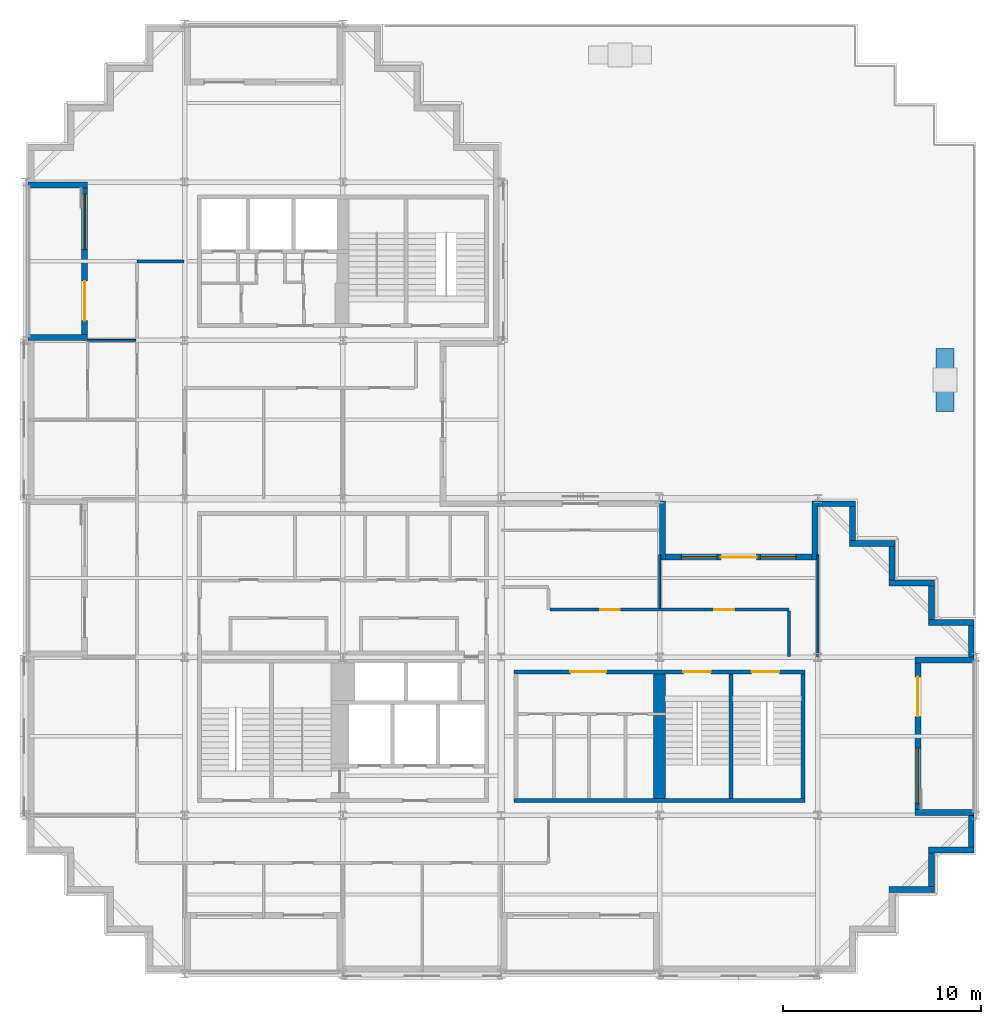
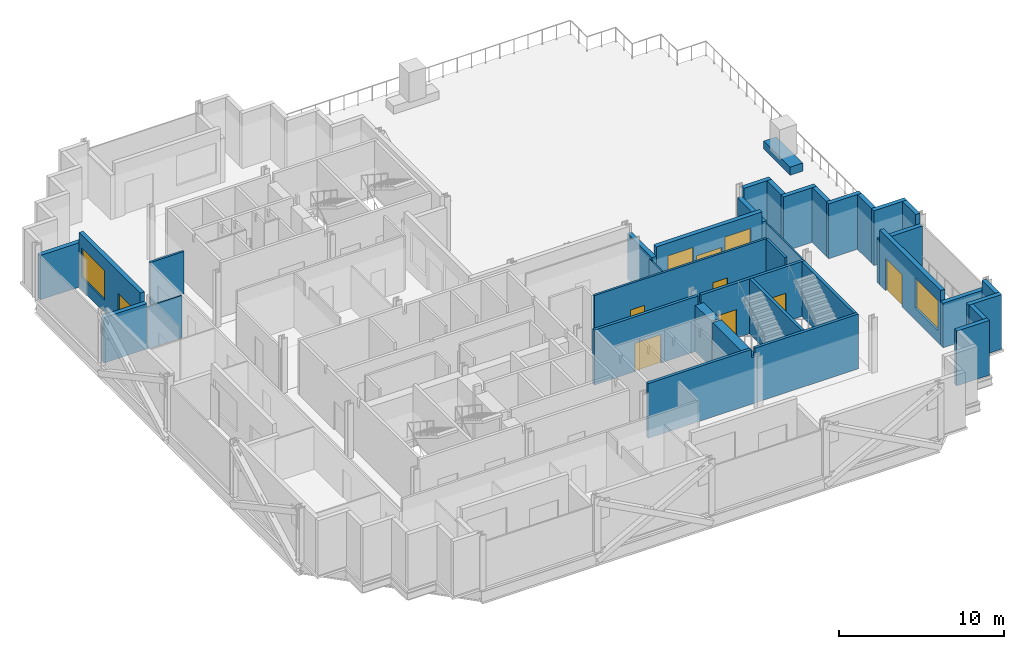
# One storey, part 7 of 12: 34 walls, 8 doors, 4 windows, 12 openings.
"""IFC4 building model written with IfcOpenShell, lengths in metres."""

import ifcopenshell
import ifcopenshell.guid

model = None  # the IFC model being written
_history = None  # IfcOwnerHistory: only IFC2X3 demands one
_inside = {}  # id of a spatial element -> (the spatial element, [elements in it])
_under = {}  # id of a project, library or spatial element -> (it, [spatial elements below it])
_declared = {}  # id of a project -> (the project, [libraries it declares])
_typed = {}  # id of a type object -> (the type object, [elements of that type])
_made_of = {}  # id of a material, layer set ... -> (it, [elements and type objects made of it])


def new_model(schema):
    """Start an empty IFC model of exactly this schema.

    Asked for "IFC4X3", IfcOpenShell would pick the latest addendum, in which some entities
    have other attributes; the version numbers below select the first issue.
    IFC2X3 requires an IfcOwnerHistory on every rooted entity: one is made here for all.
    """
    global model, _history
    if schema == "IFC4X3":
        model = ifcopenshell.file(schema_version=(4, 3, 0, 0))
    else:
        model = ifcopenshell.file(schema=schema)
    _inside.clear()
    _under.clear()
    _declared.clear()
    _typed.clear()
    _made_of.clear()
    _history = None
    if model.schema == "IFC2X3":
        org = make("IfcOrganization", Name="unknown")
        user = make(
            "IfcPersonAndOrganization",
            ThePerson=make("IfcPerson", FamilyName="unknown"),
            TheOrganization=org,
        )
        app = make(
            "IfcApplication",
            ApplicationDeveloper=org,
            Version="unknown",
            ApplicationFullName="unknown",
            ApplicationIdentifier="unknown",
        )
        _history = make(
            "IfcOwnerHistory",
            OwningUser=user,
            OwningApplication=app,
            ChangeAction="ADDED",
            CreationDate=0,
        )
    return model


def make(cls, **values):
    """One entity of the class cls with the attributes given. An attribute that is None is left unset."""
    return model.create_entity(
        cls, **{name: value for name, value in values.items() if value is not None}
    )


def rooted(cls, **values):
    """An entity with a GlobalId (a new one), such as an element, a storey or a relation."""
    return make(cls, GlobalId=ifcopenshell.guid.new(), OwnerHistory=_history, **values)


def si_unit(unit_type, name, prefix=None):
    """IfcSIUnit, for example si_unit("LENGTHUNIT", "METRE", prefix="MILLI")."""
    return make("IfcSIUnit", UnitType=unit_type, Prefix=prefix, Name=name)


def assignment(units):
    """IfcUnitAssignment: the units of a project."""
    return None if units is None else make("IfcUnitAssignment", Units=units)


def point(xyz):
    """IfcCartesianPoint."""
    return None if xyz is None else make("IfcCartesianPoint", Coordinates=xyz)


def direction(xyz):
    """IfcDirection."""
    return None if xyz is None else make("IfcDirection", DirectionRatios=xyz)


def frame(location, z_axis=None, x_axis=None):
    """IfcAxis2Placement3D, a coordinate frame: its origin and axes. An axis left out is left unset."""
    return make(
        "IfcAxis2Placement3D",
        Location=point(location),
        Axis=direction(z_axis),
        RefDirection=direction(x_axis),
    )


def frame_2d(location, x_axis=None):
    """IfcAxis2Placement2D, a coordinate frame in the plane: its origin and x axis."""
    return make(
        "IfcAxis2Placement2D", Location=point(location), RefDirection=direction(x_axis)
    )


def origin():
    """The frame at (0, 0, 0) with its axes left unset."""
    return frame((0.0, 0.0, 0.0))


def place(relative_to, where):
    """IfcLocalPlacement: puts the frame where relative to a parent placement (None: the world)."""
    return make(
        "IfcLocalPlacement", PlacementRelTo=relative_to, RelativePlacement=where
    )


def context(
    kind, dimensions, precision=None, world=None, true_north=None, identifier=None
):
    """IfcGeometricRepresentationContext, for example the 3D "Model" context."""
    return make(
        "IfcGeometricRepresentationContext",
        ContextIdentifier=identifier,
        ContextType=kind,
        CoordinateSpaceDimension=dimensions,
        Precision=precision,
        WorldCoordinateSystem=world,
        TrueNorth=true_north,
    )


def subcontext(parent, identifier, kind, view, scale=None):
    """IfcGeometricRepresentationSubContext, for example "Body" below "Model"."""
    return make(
        "IfcGeometricRepresentationSubContext",
        ContextIdentifier=identifier,
        ContextType=kind,
        ParentContext=parent,
        TargetScale=scale,
        TargetView=view,
    )


def project(units=None, contexts=None):
    """IfcProject with its units and contexts."""
    return rooted(
        "IfcProject",
        Name="project",
        RepresentationContexts=contexts,
        UnitsInContext=assignment(units),
    )


def spatial(cls, under=None, at=None, **own):
    """A site, building, storey or space (cls), placed at a placement, below another one or the project."""
    s = rooted(cls, ObjectPlacement=at, **own)
    if under is not None:
        _under.setdefault(under.id(), (under, []))[1].append(s)
    return s


def polyline(points):
    """IfcPolyline through the points."""
    return make("IfcPolyline", Points=[point(p) for p in points])


def profile(cls, at=None, kind="AREA", **sizes):
    """A parametric profile (cls). Its sizes go by their IFC names, for example OverallWidth=200.0."""
    return make(cls, ProfileType=kind, Position=at, **sizes)


def rectangle(**sizes):
    """IfcRectangleProfileDef."""
    return profile("IfcRectangleProfileDef", **sizes)


def outline(outer, holes=None, kind="AREA"):
    """IfcArbitraryClosedProfileDef: a profile drawn as a closed curve; with holes, ...WithVoids."""
    if holes is None:
        return make("IfcArbitraryClosedProfileDef", ProfileType=kind, OuterCurve=outer)
    return make(
        "IfcArbitraryProfileDefWithVoids",
        ProfileType=kind,
        OuterCurve=outer,
        InnerCurves=holes,
    )


def extrude(swept, where, along, depth):
    """IfcExtrudedAreaSolid: the profile swept, set in the frame where, extruded along a direction by depth."""
    return make(
        "IfcExtrudedAreaSolid",
        SweptArea=swept,
        Position=where,
        ExtrudedDirection=direction(along),
        Depth=depth,
    )


def shape(context_of_items, identifier, shape_type, items):
    """IfcShapeRepresentation: the items that make up one representation, for example the "Body"."""
    return make(
        "IfcShapeRepresentation",
        ContextOfItems=context_of_items,
        RepresentationIdentifier=identifier,
        RepresentationType=shape_type,
        Items=items,
    )


def material(Name=None, Category=None):
    """IfcMaterial."""
    return make("IfcMaterial", Name=Name, Category=Category)


def layer(
    of_material, thickness, ventilated=None, Name=None, Category=None, Priority=None
):
    """IfcMaterialLayer: one layer of a wall or slab, of a material (None: an air gap)."""
    return make(
        "IfcMaterialLayer",
        Material=of_material,
        LayerThickness=thickness,
        IsVentilated=ventilated,
        Name=Name,
        Category=Category,
        Priority=Priority,
    )


def layer_set(layers, Name=None):
    """IfcMaterialLayerSet."""
    return make("IfcMaterialLayerSet", MaterialLayers=layers, LayerSetName=Name)


def made_of(thing, what):
    """Note that an element or type object is made of a material, layer set ...; save() writes the relation."""
    if what is not None:
        _made_of.setdefault(what.id(), (what, []))[1].append(thing)
    return thing


def type_object(cls, material=None, **own):
    """A type object (cls), such as IfcWallType, which elements share."""
    return made_of(rooted(cls, **own), material)


def element(
    cls,
    number,
    at=None,
    inside=None,
    cuts=None,
    type_object=None,
    material=None,
    context=None,
    identifier="Body",
    shape_type=None,
    held_by="IfcProductDefinitionShape",
    body=None,
    shapes=None,
    **own,
):
    """One element of the class cls, such as IfcWall. Its Tag is "e" and its number.

    at: its placement. inside: the storey or other place that contains it. cuts: it is an
    opening in that element (IfcRelVoidsElement). A single representation is given by context,
    identifier, shape_type and body (its items); several are given by shapes. held_by: the class
    of the entity that holds the representations. save() writes the other relations.
    """
    e = rooted(cls, Tag="e%d" % number, ObjectPlacement=at, **own)
    if body is not None:
        shapes = [shape(context, identifier, shape_type, body)]
    if shapes is not None:
        e.Representation = make(held_by, Representations=shapes)
    if inside is not None:
        _inside.setdefault(inside.id(), (inside, []))[1].append(e)
    if cuts is not None:
        rooted(
            "IfcRelVoidsElement", RelatingBuildingElement=cuts, RelatedOpeningElement=e
        )
    if type_object is not None:
        _typed.setdefault(type_object.id(), (type_object, []))[1].append(e)
    return made_of(e, material)


def fill(opening, filler):
    """IfcRelFillsElement: the door or window that sits in an opening."""
    return rooted(
        "IfcRelFillsElement",
        RelatingOpeningElement=opening,
        RelatedBuildingElement=filler,
    )


def aggregate(whole, parts):
    """IfcRelAggregates: a whole, such as a stair, and the parts it consists of."""
    return rooted("IfcRelAggregates", RelatingObject=whole, RelatedObjects=parts)


def save(model, path):
    """Write the relations noted so far, then the file.

    IfcRelAggregates (storeys below a building ...), IfcRelContainedInSpatialStructure (elements
    in a storey), IfcRelDefinesByType, IfcRelAssociatesMaterial and IfcRelDeclares: one each for
    every whole, place, type object, material and project.
    """
    for whole, parts in _under.values():
        aggregate(whole, parts)
    for where, things in _inside.values():
        rooted(
            "IfcRelContainedInSpatialStructure",
            RelatedElements=things,
            RelatingStructure=where,
        )
    for kind, things in _typed.values():
        rooted("IfcRelDefinesByType", RelatedObjects=things, RelatingType=kind)
    for what, things in _made_of.values():
        rooted("IfcRelAssociatesMaterial", RelatedObjects=things, RelatingMaterial=what)
    for by, libraries in _declared.values():
        rooted("IfcRelDeclares", RelatingContext=by, RelatedDefinitions=libraries)
    model.write(path)


model = new_model("IFC4")

# Units and contexts
model_context = context("Model", 3, precision=1e-05, world=origin(), true_north=direction((0.0, 1.0)))
body_context = subcontext(model_context, "Body", "Model", "MODEL_VIEW")
ifc_project = project(units=[si_unit("LENGTHUNIT", "METRE"), si_unit("AREAUNIT", "SQUARE_METRE"), si_unit("VOLUMEUNIT", "CUBIC_METRE"), si_unit("PLANEANGLEUNIT", "RADIAN"), si_unit("MASSUNIT", "GRAM", prefix="KILO")], contexts=[model_context])

# Site, building, storey
site_placement = place(None, origin())
site = spatial("IfcSite", under=ifc_project, at=site_placement, CompositionType="ELEMENT")
building_placement = place(site_placement, origin())
building = spatial("IfcBuilding", under=site, at=building_placement, Name="Immortelle Media Tower", CompositionType="ELEMENT")
storey_placement = place(building_placement, frame((0.0, 0.0, 120.0)))
storey = spatial("IfcBuildingStorey", under=building, at=storey_placement, Name="L23", CompositionType="ELEMENT", Elevation=120.0)

# Wall
ifc_material_1 = material(Name="Fire-rated gypsum board", Category="gypsum")
ifc_layer_1 = layer(ifc_material_1, 0.012451171875)
ifc_material_2 = material(Name="Steel ASTM A653 SS Gr 50 stud frame with mineral wool", Category="steel")
ifc_layer_2 = layer(ifc_material_2, 0.125)
ifc_layer_3 = layer(ifc_material_1, 0.012451171875)
ifc_layer_set_1 = layer_set([ifc_layer_1, ifc_layer_2, ifc_layer_3], Name="Steel ASTM A653 SS Gr 50 stud frame with mineral wool")
wall_type_1 = type_object("IfcWallType", Name="Corridor wall 150", PredefinedType="PARTITIONING", material=ifc_layer_set_1)
wall_1_placement = place(storey_placement, frame((38.550048828125, 16.030029296875, 0.0), z_axis=(0.0, 0.0, 1.0), x_axis=(0.0, 1.0, 0.0)))
element("IfcWall", 1, at=wall_1_placement, inside=storey, type_object=wall_type_1, Name="Partition L23-011", PredefinedType="PARTITIONING", context=body_context, shape_type="SweptSolid", body=[
    extrude(rectangle(XDim=2.294921875, YDim=0.14990234375, at=frame_2d((1.1474609375, 0.0))), origin(), (0.0, 0.0, 1.0), 4.050048828125),
])

# Wall, openings, doors
wall_2_placement = place(storey_placement, frame((26.47509765625, 18.39990234375, 0.0), z_axis=(0.0, 0.0, 1.0), x_axis=(1.0, 0.0, 0.0)))
wall_2 = element("IfcWall", 2, at=wall_2_placement, inside=storey, type_object=wall_type_1, Name="Partition L23-013", PredefinedType="PARTITIONING", context=body_context, shape_type="SweptSolid", body=[
    extrude(rectangle(XDim=12.074951171875, YDim=0.14990234375, at=frame_2d((6.03759765625, 0.0))), origin(), (0.0, 0.0, 1.0), 4.050048828125),
])
opening_1_placement = place(wall_2_placement, frame((8.300048828125, 0.0, 0.0)))
opening_1 = element("IfcOpeningElement", 3, at=opening_1_placement, cuts=wall_2, Name="Opening C1-F008", PredefinedType="OPENING", context=body_context, shape_type="SweptSolid", body=[
    extrude(rectangle(XDim=1.0, YDim=2.10009765625, at=frame_2d((0.5, 1.050048828125))), frame((0.0, 0.0849609375, 0.0), z_axis=(0.0, -1.0, 0.0), x_axis=(1.0, 0.0, 0.0)), (0.0, 0.0, 1.0), 0.169921875),
])
opening_2_placement = place(wall_2_placement, frame((2.52490234375, 0.0, 0.0)))
opening_2 = element("IfcOpeningElement", 4, at=opening_2_placement, cuts=wall_2, Name="Opening C1-F010", PredefinedType="OPENING", context=body_context, shape_type="SweptSolid", body=[
    extrude(rectangle(XDim=1.0, YDim=2.10009765625, at=frame_2d((0.5, 1.050048828125))), frame((0.0, 0.0849609375, 0.0), z_axis=(0.0, -1.0, 0.0), x_axis=(1.0, 0.0, 0.0)), (0.0, 0.0, 1.0), 0.169921875),
])
ifc_material_3 = material(Name="Timber veneered door leaf, galvanised steel frame ASTM A653", Category="steel")
door_type_1 = type_object("IfcDoorType", Name="Room door 1000 x 2100", OperationType="NOTDEFINED", PredefinedType="DOOR", material=ifc_material_3)
door_1_placement = place(opening_1_placement, origin())
door_1 = element("IfcDoor", 5, at=door_1_placement, inside=storey, type_object=door_type_1, Name="Door C1-F008", OperationType="SINGLE_SWING_LEFT", OverallHeight=2.10009765625, OverallWidth=1.0, PredefinedType="DOOR", context=body_context, shape_type="SweptSolid", body=[
    extrude(rectangle(XDim=1.0, YDim=2.10009765625, at=frame_2d((0.5, 1.050048828125))), frame((0.0, 0.02490234375, 0.0), z_axis=(0.0, -1.0, 0.0), x_axis=(1.0, 0.0, 0.0)), (0.0, 0.0, 1.0), 0.050048828125),
])
fill(opening_1, door_1)
door_2_placement = place(opening_2_placement, origin())
door_2 = element("IfcDoor", 6, at=door_2_placement, inside=storey, type_object=door_type_1, Name="Door C1-F010", OperationType="SINGLE_SWING_RIGHT", OverallHeight=2.10009765625, OverallWidth=1.0, PredefinedType="DOOR", context=body_context, shape_type="SweptSolid", body=[
    extrude(rectangle(XDim=1.0, YDim=2.10009765625, at=frame_2d((0.5, 1.050048828125))), frame((0.0, 0.02490234375, 0.0), z_axis=(0.0, -1.0, 0.0), x_axis=(1.0, 0.0, 0.0)), (0.0, 0.0, 1.0), 0.050048828125),
])
fill(opening_2, door_2)

# Walls
wall_3_placement = place(storey_placement, frame((5.60009765625, 36.0, 0.0), z_axis=(0.0, 0.0, 1.0), x_axis=(1.0, 0.0, 0.0)))
element("IfcWall", 7, at=wall_3_placement, inside=storey, type_object=wall_type_1, Name="Partition L23-028", PredefinedType="PARTITIONING", context=body_context, shape_type="SweptSolid", body=[
    extrude(rectangle(XDim=2.369873046875, YDim=0.14990234375, at=frame_2d((1.18505859375, 0.0))), origin(), (0.0, 0.0, 1.0), 3.123046875),
])
ifc_material_4 = material(Name="Pale aluminium cladding panel", Category="aluminium")
ifc_layer_4 = layer(ifc_material_4, 0.030029296875)
ifc_layer_5 = layer(ifc_material_2, 0.257568359375)
ifc_material_5 = material(Name="Moisture-resistant gypsum board", Category="gypsum")
ifc_layer_6 = layer(ifc_material_5, 0.012451171875)
ifc_layer_set_2 = layer_set([ifc_layer_4, ifc_layer_5, ifc_layer_6], Name="Steel ASTM A653 SS Gr 50 stud frame with mineral wool")
wall_type_2 = type_object("IfcWallType", Name="Facade wall 300", PredefinedType="SOLIDWALL", material=ifc_layer_set_2)
wall_4_placement = place(storey_placement, frame((43.60009765625, 4.25, 0.0), z_axis=(0.0, 0.0, 1.0), x_axis=(1.0, 0.0, 0.0)))
element("IfcWall", 8, at=wall_4_placement, inside=storey, type_object=wall_type_2, Name="Facade wall L23 S10", PredefinedType="SOLIDWALL", context=body_context, shape_type="SweptSolid", body=[
    extrude(rectangle(XDim=2.2998046875, YDim=0.300048828125, at=frame_2d((1.14990234375, 0.0))), origin(), (0.0, 0.0, 1.0), 4.050048828125),
])
wall_5_placement = place(storey_placement, frame((45.75, 4.39990234375, 0.0), z_axis=(0.0, 0.0, 1.0), x_axis=(0.0, 1.0, 0.0)))
element("IfcWall", 9, at=wall_5_placement, inside=storey, type_object=wall_type_2, Name="Facade wall L23 E11", PredefinedType="SOLIDWALL", context=body_context, shape_type="SweptSolid", body=[
    extrude(rectangle(XDim=1.7001953125, YDim=0.300048828125, at=frame_2d((0.85009765625, 0.0))), origin(), (0.0, 0.0, 1.0), 4.050048828125),
])
wall_6_placement = place(storey_placement, frame((45.60009765625, 6.25, 0.0), z_axis=(0.0, 0.0, 1.0), x_axis=(1.0, 0.0, 0.0)))
element("IfcWall", 10, at=wall_6_placement, inside=storey, type_object=wall_type_2, Name="Facade wall L23 S12", PredefinedType="SOLIDWALL", context=body_context, shape_type="SweptSolid", body=[
    extrude(rectangle(XDim=2.2998046875, YDim=0.300048828125, at=frame_2d((1.14990234375, 0.0))), origin(), (0.0, 0.0, 1.0), 4.050048828125),
])
wall_7_placement = place(storey_placement, frame((47.75, 6.39990234375, 0.0), z_axis=(0.0, 0.0, 1.0), x_axis=(0.0, 1.0, 0.0)))
element("IfcWall", 11, at=wall_7_placement, inside=storey, type_object=wall_type_2, Name="Facade wall L23 E13", PredefinedType="SOLIDWALL", context=body_context, shape_type="SweptSolid", body=[
    extrude(rectangle(XDim=1.60009765625, YDim=0.300048828125, at=frame_2d((0.800048828125, 0.0))), origin(), (0.0, 0.0, 1.0), 4.050048828125),
])

# Wall, openings, door, window
wall_8_placement = place(storey_placement, frame((45.050048828125, 8.300048828125, 0.0), z_axis=(0.0, 0.0, 1.0), x_axis=(0.0, 1.0, 0.0)))
wall_8 = element("IfcWall", 12, at=wall_8_placement, inside=storey, type_object=wall_type_2, Name="Loggia wall L23 E13", PredefinedType="SOLIDWALL", context=body_context, shape_type="SweptSolid", body=[
    extrude(rectangle(XDim=7.39990234375, YDim=0.300048828125, at=frame_2d((3.699951171875, 0.0))), origin(), (0.0, 0.0, 1.0), 4.050048828125),
])
opening_3_placement = place(wall_8_placement, frame((0.300048828125, 0.0, 0.89990234375)))
opening_3 = element("IfcOpeningElement", 13, at=opening_3_placement, cuts=wall_8, Name="Opening W1", PredefinedType="OPENING", context=body_context, shape_type="SweptSolid", body=[
    extrude(rectangle(XDim=2.800048828125, YDim=2.199951171875, at=frame_2d((1.39990234375, 1.10009765625))), frame((0.0, 0.159912109375, 0.0), z_axis=(0.0, -1.0, 0.0), x_axis=(1.0, 0.0, 0.0)), (0.0, 0.0, 1.0), 0.320068359375),
])
opening_4_placement = place(wall_8_placement, frame((4.699951171875, 0.0, 0.0)))
opening_4 = element("IfcOpeningElement", 14, at=opening_4_placement, cuts=wall_8, Name="Opening C1-E003", PredefinedType="OPENING", context=body_context, shape_type="SweptSolid", body=[
    extrude(rectangle(XDim=2.0, YDim=2.39990234375, at=frame_2d((1.0, 1.199951171875))), frame((0.0, 0.159912109375, 0.0), z_axis=(0.0, -1.0, 0.0), x_axis=(1.0, 0.0, 0.0)), (0.0, 0.0, 1.0), 0.320068359375),
])
ifc_material_6 = material(Name="Aluminium frame, glazed leaves", Category="aluminium")
door_type_2 = type_object("IfcDoorType", Name="Loggia door 2000 x 2400", OperationType="DOUBLE_DOOR_SINGLE_SWING", PredefinedType="DOOR", material=ifc_material_6)
door_3_placement = place(opening_4_placement, origin())
door_3 = element("IfcDoor", 15, at=door_3_placement, inside=storey, type_object=door_type_2, Name="Door C1-E003", OperationType="DOUBLE_DOOR_SINGLE_SWING", OverallHeight=2.39990234375, OverallWidth=2.0, PredefinedType="DOOR", context=body_context, shape_type="SweptSolid", body=[
    extrude(rectangle(XDim=2.0, YDim=2.39990234375, at=frame_2d((1.0, 1.199951171875))), frame((0.0, 0.02490234375, 0.0), z_axis=(0.0, -1.0, 0.0), x_axis=(1.0, 0.0, 0.0)), (0.0, 0.0, 1.0), 0.050048828125),
])
fill(opening_4, door_3)
ifc_material_7 = material(Name="Aluminium frame", Category="aluminium")
window_type_1 = type_object("IfcWindowType", Name="Window 2800 x 2200", PartitioningType="SINGLE_PANEL", PredefinedType="WINDOW", material=ifc_material_7)
window_1_placement = place(opening_3_placement, origin())
window_1 = element("IfcWindow", 16, at=window_1_placement, inside=storey, type_object=window_type_1, Name="Window L23 L23-R13-B0", OverallHeight=2.199951171875, OverallWidth=2.800048828125, PartitioningType="SINGLE_PANEL", PredefinedType="WINDOW", context=body_context, shape_type="SweptSolid", body=[
    extrude(rectangle(XDim=2.800048828125, YDim=2.199951171875, at=frame_2d((1.39990234375, 1.10009765625))), frame((0.0, 0.030029296875, 0.0), z_axis=(0.0, -1.0, 0.0), x_axis=(1.0, 0.0, 0.0)), (0.0, 0.0, 1.0), 0.06005859375),
])
fill(opening_3, window_1)

# Walls
for number, where, z_axis, x_axis, name in (
    (17, (47.89990234375, 8.14990234375, 0.0), (0.0, 0.0, 1.0), (-1.0, 0.0, 0.0), "Loggia cheek wall L23 E"),
    (18, (47.89990234375, 15.85009765625, 0.0), (0.0, 0.0, 1.0), (-1.0, 0.0, 0.0), "Loggia cheek wall L23 E"),
):
    element("IfcWall", number, at=place(storey_placement, frame(where, z_axis=z_axis, x_axis=x_axis)), inside=storey, type_object=wall_type_2, Name=name, PredefinedType="SOLIDWALL", context=body_context, shape_type="SweptSolid", body=[
        extrude(rectangle(XDim=3.0, YDim=0.300048828125, at=frame_2d((1.5, 0.0))), origin(), (0.0, 0.0, 1.0), 3.287109375),
    ])
wall_9_placement = place(storey_placement, frame((47.75, 16.0, 0.0), z_axis=(0.0, 0.0, 1.0), x_axis=(0.0, 1.0, 0.0)))
element("IfcWall", 19, at=wall_9_placement, inside=storey, type_object=wall_type_2, Name="Facade wall L23 E13", PredefinedType="SOLIDWALL", context=body_context, shape_type="SweptSolid", body=[
    extrude(rectangle(XDim=1.60009765625, YDim=0.300048828125, at=frame_2d((0.800048828125, 0.0))), origin(), (0.0, 0.0, 1.0), 4.050048828125),
])
wall_10_placement = place(storey_placement, frame((47.89990234375, 17.75, 0.0), z_axis=(0.0, 0.0, 1.0), x_axis=(-1.0, 0.0, 0.0)))
element("IfcWall", 20, at=wall_10_placement, inside=storey, type_object=wall_type_2, Name="Facade wall L23 N14", PredefinedType="SOLIDWALL", context=body_context, shape_type="SweptSolid", body=[
    extrude(rectangle(XDim=2.2998046875, YDim=0.300048828125, at=frame_2d((1.14990234375, 0.0))), origin(), (0.0, 0.0, 1.0), 4.050048828125),
])
wall_11_placement = place(storey_placement, frame((45.75, 17.89990234375, 0.0), z_axis=(0.0, 0.0, 1.0), x_axis=(0.0, 1.0, 0.0)))
element("IfcWall", 21, at=wall_11_placement, inside=storey, type_object=wall_type_2, Name="Facade wall L23 E15", PredefinedType="SOLIDWALL", context=body_context, shape_type="SweptSolid", body=[
    extrude(rectangle(XDim=1.7001953125, YDim=0.300048828125, at=frame_2d((0.85009765625, 0.0))), origin(), (0.0, 0.0, 1.0), 4.050048828125),
])
wall_12_placement = place(storey_placement, frame((45.89990234375, 19.75, 0.0), z_axis=(0.0, 0.0, 1.0), x_axis=(-1.0, 0.0, 0.0)))
element("IfcWall", 22, at=wall_12_placement, inside=storey, type_object=wall_type_2, Name="Facade wall L23 N16", PredefinedType="SOLIDWALL", context=body_context, shape_type="SweptSolid", body=[
    extrude(rectangle(XDim=2.2998046875, YDim=0.300048828125, at=frame_2d((1.14990234375, 0.0))), origin(), (0.0, 0.0, 1.0), 4.050048828125),
])
wall_13_placement = place(storey_placement, frame((43.75, 19.89990234375, 0.0), z_axis=(0.0, 0.0, 1.0), x_axis=(0.0, 1.0, 0.0)))
element("IfcWall", 23, at=wall_13_placement, inside=storey, type_object=wall_type_2, Name="Facade wall L23 E17", PredefinedType="SOLIDWALL", context=body_context, shape_type="SweptSolid", body=[
    extrude(rectangle(XDim=1.7001953125, YDim=0.300048828125, at=frame_2d((0.85009765625, 0.0))), origin(), (0.0, 0.0, 1.0), 4.050048828125),
])
wall_14_placement = place(storey_placement, frame((43.89990234375, 21.75, 0.0), z_axis=(0.0, 0.0, 1.0), x_axis=(-1.0, 0.0, 0.0)))
element("IfcWall", 24, at=wall_14_placement, inside=storey, type_object=wall_type_2, Name="Facade wall L23 N18", PredefinedType="SOLIDWALL", context=body_context, shape_type="SweptSolid", body=[
    extrude(rectangle(XDim=2.2998046875, YDim=0.300048828125, at=frame_2d((1.14990234375, 0.0))), origin(), (0.0, 0.0, 1.0), 4.050048828125),
])
wall_15_placement = place(storey_placement, frame((41.75, 21.89990234375, 0.0), z_axis=(0.0, 0.0, 1.0), x_axis=(0.0, 1.0, 0.0)))
element("IfcWall", 25, at=wall_15_placement, inside=storey, type_object=wall_type_2, Name="Facade wall L23 E19", PredefinedType="SOLIDWALL", context=body_context, shape_type="SweptSolid", body=[
    extrude(rectangle(XDim=1.7001953125, YDim=0.300048828125, at=frame_2d((0.85009765625, 0.0))), origin(), (0.0, 0.0, 1.0), 4.050048828125),
])
wall_16_placement = place(storey_placement, frame((41.89990234375, 23.75, 0.0), z_axis=(0.0, 0.0, 1.0), x_axis=(-1.0, 0.0, 0.0)))
element("IfcWall", 26, at=wall_16_placement, inside=storey, type_object=wall_type_2, Name="Facade wall L23 N20", PredefinedType="SOLIDWALL", context=body_context, shape_type="SweptSolid", body=[
    extrude(rectangle(XDim=1.89990234375, YDim=0.300048828125, at=frame_2d((0.949951171875, 0.0))), origin(), (0.0, 0.0, 1.0), 4.050048828125),
])

# Wall, openings, door, windows
wall_17_placement = place(storey_placement, frame((39.699951171875, 21.050048828125, 0.0), z_axis=(0.0, 0.0, 1.0), x_axis=(-1.0, 0.0, 0.0)))
wall_17 = element("IfcWall", 27, at=wall_17_placement, inside=storey, type_object=wall_type_2, Name="Loggia wall L23 N20", PredefinedType="SOLIDWALL", context=body_context, shape_type="SweptSolid", body=[
    extrude(rectangle(XDim=7.39990234375, YDim=0.300048828125, at=frame_2d((3.699951171875, 0.0))), origin(), (0.0, 0.0, 1.0), 4.050048828125),
])
opening_5_placement = place(wall_17_placement, frame((0.800048828125, 0.0, 0.89990234375)))
opening_5 = element("IfcOpeningElement", 28, at=opening_5_placement, cuts=wall_17, Name="Opening W2", PredefinedType="OPENING", context=body_context, shape_type="SweptSolid", body=[
    extrude(rectangle(XDim=1.800048828125, YDim=2.199951171875, at=frame_2d((0.89990234375, 1.10009765625))), frame((0.0, 0.159912109375, 0.0), z_axis=(0.0, -1.0, 0.0), x_axis=(1.0, 0.0, 0.0)), (0.0, 0.0, 1.0), 0.320068359375),
])
opening_6_placement = place(wall_17_placement, frame((4.800048828125, 0.0, 0.89990234375)))
opening_6 = element("IfcOpeningElement", 29, at=opening_6_placement, cuts=wall_17, Name="Opening W2", PredefinedType="OPENING", context=body_context, shape_type="SweptSolid", body=[
    extrude(rectangle(XDim=1.800048828125, YDim=2.199951171875, at=frame_2d((0.89990234375, 1.10009765625))), frame((0.0, 0.159912109375, 0.0), z_axis=(0.0, -1.0, 0.0), x_axis=(1.0, 0.0, 0.0)), (0.0, 0.0, 1.0), 0.320068359375),
])
opening_7_placement = place(wall_17_placement, frame((2.800048828125, 0.0, 0.0)))
opening_7 = element("IfcOpeningElement", 30, at=opening_7_placement, cuts=wall_17, Name="Opening C1-E802", PredefinedType="OPENING", context=body_context, shape_type="SweptSolid", body=[
    extrude(rectangle(XDim=1.800048828125, YDim=2.39990234375, at=frame_2d((0.89990234375, 1.199951171875))), frame((0.0, 0.159912109375, 0.0), z_axis=(0.0, -1.0, 0.0), x_axis=(1.0, 0.0, 0.0)), (0.0, 0.0, 1.0), 0.320068359375),
])
door_type_3 = type_object("IfcDoorType", Name="Terrace door 1800 x 2400", OperationType="DOUBLE_DOOR_SINGLE_SWING", PredefinedType="DOOR", material=ifc_material_6)
door_4_placement = place(opening_7_placement, origin())
door_4 = element("IfcDoor", 31, at=door_4_placement, inside=storey, type_object=door_type_3, Name="Door C1-E802", OperationType="DOUBLE_DOOR_SINGLE_SWING", OverallHeight=2.39990234375, OverallWidth=1.800048828125, PredefinedType="DOOR", context=body_context, shape_type="SweptSolid", body=[
    extrude(rectangle(XDim=1.800048828125, YDim=2.39990234375, at=frame_2d((0.89990234375, 1.199951171875))), frame((0.0, 0.02490234375, 0.0), z_axis=(0.0, -1.0, 0.0), x_axis=(1.0, 0.0, 0.0)), (0.0, 0.0, 1.0), 0.050048828125),
])
fill(opening_7, door_4)
window_type_2 = type_object("IfcWindowType", Name="Window 1800 x 2200", PartitioningType="SINGLE_PANEL", PredefinedType="WINDOW", material=ifc_material_7)
window_2_placement = place(opening_5_placement, origin())
window_2 = element("IfcWindow", 32, at=window_2_placement, inside=storey, type_object=window_type_2, Name="Window L23 L23-R20-B0", OverallHeight=2.199951171875, OverallWidth=1.800048828125, PartitioningType="SINGLE_PANEL", PredefinedType="WINDOW", context=body_context, shape_type="SweptSolid", body=[
    extrude(rectangle(XDim=1.800048828125, YDim=2.199951171875, at=frame_2d((0.89990234375, 1.10009765625))), frame((0.0, 0.030029296875, 0.0), z_axis=(0.0, -1.0, 0.0), x_axis=(1.0, 0.0, 0.0)), (0.0, 0.0, 1.0), 0.06005859375),
])
fill(opening_5, window_2)
window_3_placement = place(opening_6_placement, origin())
window_3 = element("IfcWindow", 33, at=window_3_placement, inside=storey, type_object=window_type_2, Name="Window L23 L23-R20-B0", OverallHeight=2.199951171875, OverallWidth=1.800048828125, PartitioningType="SINGLE_PANEL", PredefinedType="WINDOW", context=body_context, shape_type="SweptSolid", body=[
    extrude(rectangle(XDim=1.800048828125, YDim=2.199951171875, at=frame_2d((0.89990234375, 1.10009765625))), frame((0.0, 0.030029296875, 0.0), z_axis=(0.0, -1.0, 0.0), x_axis=(1.0, 0.0, 0.0)), (0.0, 0.0, 1.0), 0.06005859375),
])
fill(opening_6, window_3)

# Walls
wall_18_placement = place(storey_placement, frame((39.85009765625, 23.89990234375, 0.0), z_axis=(0.0, 0.0, 1.0), x_axis=(0.0, -1.0, 0.0)))
element("IfcWall", 34, at=wall_18_placement, inside=storey, type_object=wall_type_2, Name="Loggia cheek wall L23 N", PredefinedType="SOLIDWALL", context=body_context, shape_type="SweptSolid", body=[
    extrude(rectangle(XDim=3.0, YDim=0.300048828125, at=frame_2d((1.5, 0.0))), origin(), (0.0, 0.0, 1.0), 3.287109375),
])
wall_19_placement = place(storey_placement, frame((32.14990234375, 23.89990234375, 0.0), z_axis=(0.0, 0.0, 1.0), x_axis=(0.0, -1.0, 0.0)))
element("IfcWall", 35, at=wall_19_placement, inside=storey, type_object=wall_type_2, Name="Loggia cheek wall L23 N", PredefinedType="SOLIDWALL", context=body_context, shape_type="SweptSolid", body=[
    extrude(rectangle(XDim=3.0, YDim=0.300048828125, at=frame_2d((1.5, 0.0))), origin(), (0.0, 0.0, 1.0), 3.35595703125),
])

# Wall, openings, door, window
wall_20_placement = place(storey_placement, frame((2.949951171875, 39.699951171875, 0.0), z_axis=(0.0, 0.0, 1.0), x_axis=(0.0, -1.0, 0.0)))
wall_20 = element("IfcWall", 36, at=wall_20_placement, inside=storey, type_object=wall_type_2, Name="Loggia wall L23 W35", PredefinedType="SOLIDWALL", context=body_context, shape_type="SweptSolid", body=[
    extrude(rectangle(XDim=7.39990234375, YDim=0.300048828125, at=frame_2d((3.699951171875, 0.0))), origin(), (0.0, 0.0, 1.0), 4.050048828125),
])
opening_8_placement = place(wall_20_placement, frame((0.300048828125, 0.0, 0.89990234375)))
opening_8 = element("IfcOpeningElement", 37, at=opening_8_placement, cuts=wall_20, Name="Opening W1", PredefinedType="OPENING", context=body_context, shape_type="SweptSolid", body=[
    extrude(rectangle(XDim=2.800048828125, YDim=2.199951171875, at=frame_2d((1.39990234375, 1.10009765625))), frame((0.0, 0.159912109375, 0.0), z_axis=(0.0, -1.0, 0.0), x_axis=(1.0, 0.0, 0.0)), (0.0, 0.0, 1.0), 0.320068359375),
])
opening_9_placement = place(wall_20_placement, frame((4.699951171875, 0.0, 0.0)))
opening_9 = element("IfcOpeningElement", 38, at=opening_9_placement, cuts=wall_20, Name="Opening C1-E007", PredefinedType="OPENING", context=body_context, shape_type="SweptSolid", body=[
    extrude(rectangle(XDim=2.0, YDim=2.39990234375, at=frame_2d((1.0, 1.199951171875))), frame((0.0, 0.159912109375, 0.0), z_axis=(0.0, -1.0, 0.0), x_axis=(1.0, 0.0, 0.0)), (0.0, 0.0, 1.0), 0.320068359375),
])
door_5_placement = place(opening_9_placement, origin())
door_5 = element("IfcDoor", 39, at=door_5_placement, inside=storey, type_object=door_type_2, Name="Door C1-E007", OperationType="DOUBLE_DOOR_SINGLE_SWING", OverallHeight=2.39990234375, OverallWidth=2.0, PredefinedType="DOOR", context=body_context, shape_type="SweptSolid", body=[
    extrude(rectangle(XDim=2.0, YDim=2.39990234375, at=frame_2d((1.0, 1.199951171875))), frame((0.0, 0.02490234375, 0.0), z_axis=(0.0, -1.0, 0.0), x_axis=(1.0, 0.0, 0.0)), (0.0, 0.0, 1.0), 0.050048828125),
])
fill(opening_9, door_5)
window_4_placement = place(opening_8_placement, origin())
window_4 = element("IfcWindow", 40, at=window_4_placement, inside=storey, type_object=window_type_1, Name="Window L23 L23-R35-B0", OverallHeight=2.199951171875, OverallWidth=2.800048828125, PartitioningType="SINGLE_PANEL", PredefinedType="WINDOW", context=body_context, shape_type="SweptSolid", body=[
    extrude(rectangle(XDim=2.800048828125, YDim=2.199951171875, at=frame_2d((1.39990234375, 1.10009765625))), frame((0.0, 0.030029296875, 0.0), z_axis=(0.0, -1.0, 0.0), x_axis=(1.0, 0.0, 0.0)), (0.0, 0.0, 1.0), 0.06005859375),
])
fill(opening_8, window_4)

# Walls
wall_21_placement = place(storey_placement, frame((0.10009765625, 39.85009765625, 0.0), z_axis=(0.0, 0.0, 1.0), x_axis=(1.0, 0.0, 0.0)))
element("IfcWall", 41, at=wall_21_placement, inside=storey, type_object=wall_type_2, Name="Loggia cheek wall L23 W", PredefinedType="SOLIDWALL", context=body_context, shape_type="SweptSolid", body=[
    extrude(rectangle(XDim=3.0, YDim=0.300048828125, at=frame_2d((1.5, 0.0))), origin(), (0.0, 0.0, 1.0), 3.287109375),
])
wall_22_placement = place(storey_placement, frame((0.10009765625, 32.14990234375, 0.0), z_axis=(0.0, 0.0, 1.0), x_axis=(1.0, 0.0, 0.0)))
element("IfcWall", 42, at=wall_22_placement, inside=storey, type_object=wall_type_2, Name="Loggia cheek wall L23 W", PredefinedType="SOLIDWALL", context=body_context, shape_type="SweptSolid", body=[
    extrude(rectangle(XDim=3.0, YDim=0.300048828125, at=frame_2d((1.5, 0.0))), origin(), (0.0, 0.0, 1.0), 3.35595703125),
])
ifc_material_8 = material(Name="Gypsum board", Category="gypsum")
ifc_layer_7 = layer(ifc_material_8, 0.012451171875)
ifc_layer_8 = layer(ifc_material_2, 0.074951171875)
ifc_layer_9 = layer(ifc_material_8, 0.012451171875)
ifc_layer_set_3 = layer_set([ifc_layer_7, ifc_layer_8, ifc_layer_9], Name="Steel ASTM A653 SS Gr 50 stud frame with mineral wool")
wall_type_3 = type_object("IfcWallType", Name="Partition 100", PredefinedType="PARTITIONING", material=ifc_layer_set_3)
wall_23_placement = place(storey_placement, frame((40.0, 16.030029296875, 0.0), z_axis=(0.0, 0.0, 1.0), x_axis=(0.0, 1.0, 0.0)))
element("IfcWall", 43, at=wall_23_placement, inside=storey, type_object=wall_type_3, Name="Partition L23-012", PredefinedType="PARTITIONING", context=body_context, shape_type="SweptSolid", body=[
    extrude(rectangle(XDim=5.139892578125, YDim=0.10009765625, at=frame_2d((2.56982421875, 0.0))), origin(), (0.0, 0.0, 1.0), 3.123046875),
])
wall_24_placement = place(storey_placement, frame((32.0, 18.47509765625, 0.0), z_axis=(0.0, 0.0, 1.0), x_axis=(0.0, 1.0, 0.0)))
element("IfcWall", 44, at=wall_24_placement, inside=storey, type_object=wall_type_3, Name="Partition L23-015", PredefinedType="PARTITIONING", context=body_context, shape_type="SweptSolid", body=[
    extrude(rectangle(XDim=2.69482421875, YDim=0.10009765625, at=frame_2d((1.347412109375, 0.0))), origin(), (0.0, 0.0, 1.0), 3.123046875),
])
wall_25_placement = place(storey_placement, frame((3.10009765625, 32.0, 0.0), z_axis=(0.0, 0.0, 1.0), x_axis=(1.0, 0.0, 0.0)))
element("IfcWall", 45, at=wall_25_placement, inside=storey, type_object=wall_type_3, Name="Partition L23-027", PredefinedType="PARTITIONING", context=body_context, shape_type="SweptSolid", body=[
    extrude(rectangle(XDim=2.4248046875, YDim=0.10009765625, at=frame_2d((1.21240234375, 0.0))), origin(), (0.0, 0.0, 1.0), 3.123046875),
])
ifc_layer_10 = layer(ifc_material_4, 0.0029296875)
ifc_material_9 = material(Name="Steel ASTM A572 Gr 50 planter shell", Category="steel")
ifc_layer_11 = layer(ifc_material_9, 0.011962890625)
ifc_material_10 = material(Name="Planting substrate", Category="soil")
ifc_layer_12 = layer(ifc_material_10, 0.873046875)
ifc_layer_13 = layer(ifc_material_9, 0.011962890625)
ifc_layer_set_4 = layer_set([ifc_layer_10, ifc_layer_11, ifc_layer_12, ifc_layer_13], Name="Steel ASTM A572 Gr 50 planter shell")
wall_type_4 = type_object("IfcWallType", Name="Planter wall 900", PredefinedType="SOLIDWALL", material=ifc_layer_set_4)
wall_26_placement = place(storey_placement, frame((46.429931640625, 31.60107421875, 0.0), z_axis=(0.0, 0.0, 1.0), x_axis=(0.0, -1.0, 0.0)))
element("IfcWall", 46, at=wall_26_placement, inside=storey, type_object=wall_type_4, Name="Terrace planter L23 NE0.0-2", PredefinedType="SOLIDWALL", context=body_context, shape_type="SweptSolid", body=[
    extrude(rectangle(XDim=3.2001953125, YDim=0.89990234375, at=frame_2d((1.60009765625, 0.0))), origin(), (0.0, 0.0, 1.0), 0.60009765625),
])
ifc_material_11 = material(Name="Concrete C60", Category="concrete")
ifc_layer_14 = layer(ifc_material_11, 0.199951171875)
ifc_layer_set_5 = layer_set([ifc_layer_14], Name="Concrete C60")
wall_type_5 = type_object("IfcWallType", Name="Stair shaft wall 200", PredefinedType="PARTITIONING", material=ifc_layer_set_5)
wall_27_placement = place(storey_placement, frame((24.64990234375, 8.75, 0.0), z_axis=(0.0, 0.0, 1.0), x_axis=(1.0, 0.0, 0.0)))
element("IfcWall", 47, at=wall_27_placement, inside=storey, type_object=wall_type_5, Name="Stair shaft wall SE", PredefinedType="PARTITIONING", context=body_context, shape_type="SweptSolid", body=[
    extrude(outline(polyline([(0.0, 0.0), (14.7001953125, 0.0), (14.699951171875, 4.050048828125), (7.469482421875, 4.050048828125), (7.468505859375, 3.431884765625), (7.2314453125, 3.431884765625), (7.23046875, 4.050048828125), (0.0, 4.050048828125), (0.0, 0.0)])), frame((0.0, 0.10009765625, 0.0), z_axis=(0.0, -1.0, 0.0), x_axis=(1.0, 0.0, 0.0)), (0.0, 0.0, 1.0), 0.199951171875),
])

# Wall, openings, doors
wall_28_placement = place(storey_placement, frame((24.64990234375, 15.25, 0.0), z_axis=(0.0, 0.0, 1.0), x_axis=(1.0, 0.0, 0.0)))
wall_28 = element("IfcWall", 48, at=wall_28_placement, inside=storey, type_object=wall_type_5, Name="Stair shaft wall SE", PredefinedType="PARTITIONING", context=body_context, shape_type="SweptSolid", body=[
    extrude(outline(polyline([(0.0, 0.0), (14.7001953125, 0.0), (14.699951171875, 4.050048828125), (7.469482421875, 4.050048828125), (7.468505859375, 3.431884765625), (7.2314453125, 3.431884765625), (7.23046875, 4.050048828125), (0.0, 4.050048828125), (0.0, 0.0)])), frame((0.0, 0.10009765625, 0.0), z_axis=(0.0, -1.0, 0.0), x_axis=(1.0, 0.0, 0.0)), (0.0, 0.0, 1.0), 0.199951171875),
])
opening_10_placement = place(wall_28_placement, frame((2.85009765625, 0.0, 0.0)))
opening_10 = element("IfcOpeningElement", 49, at=opening_10_placement, cuts=wall_28, Name="Opening C1-K020", PredefinedType="OPENING", context=body_context, shape_type="SweptSolid", body=[
    extrude(rectangle(XDim=1.800048828125, YDim=2.10009765625, at=frame_2d((0.89990234375, 1.050048828125))), frame((0.0, 0.10986328125, 0.0), z_axis=(0.0, -1.0, 0.0), x_axis=(1.0, 0.0, 0.0)), (0.0, 0.0, 1.0), 0.219970703125),
])
opening_11_placement = place(wall_28_placement, frame((9.949951171875, 0.0, 0.0), z_axis=(0.0, 0.0, 1.0), x_axis=(-1.0, 0.0, 0.0)))
opening_11 = element("IfcOpeningElement", 50, at=opening_11_placement, cuts=wall_28, Name="Opening C1-K023", PredefinedType="OPENING", context=body_context, shape_type="SweptSolid", body=[
    extrude(rectangle(XDim=1.39990234375, YDim=2.10009765625, at=frame_2d((0.699951171875, 1.050048828125))), frame((0.0, 0.10986328125, 0.0), z_axis=(0.0, -1.0, 0.0), x_axis=(1.0, 0.0, 0.0)), (0.0, 0.0, 1.0), 0.219970703125),
])
opening_12_placement = place(wall_28_placement, frame((13.39990234375, 0.0, 0.0), z_axis=(0.0, 0.0, 1.0), x_axis=(-1.0, 0.0, 0.0)))
opening_12 = element("IfcOpeningElement", 51, at=opening_12_placement, cuts=wall_28, Name="Opening C1-K024", PredefinedType="OPENING", context=body_context, shape_type="SweptSolid", body=[
    extrude(rectangle(XDim=1.39990234375, YDim=2.10009765625, at=frame_2d((0.699951171875, 1.050048828125))), frame((0.0, 0.10986328125, 0.0), z_axis=(0.0, -1.0, 0.0), x_axis=(1.0, 0.0, 0.0)), (0.0, 0.0, 1.0), 0.219970703125),
])
ifc_material_12 = material(Name="Galvanised steel door leaf and frame ASTM A653", Category="steel")
door_type_4 = type_object("IfcDoorType", Name="Lift lobby door 1800 x 2100", OperationType="DOUBLE_DOOR_SINGLE_SWING", PredefinedType="NOTDEFINED", material=ifc_material_12)
door_6_placement = place(opening_10_placement, origin())
door_6 = element("IfcDoor", 52, at=door_6_placement, inside=storey, type_object=door_type_4, Name="Lift lobby C1-K020", OperationType="DOUBLE_DOOR_SINGLE_SWING", OverallHeight=2.10009765625, OverallWidth=1.800048828125, PredefinedType="NOTDEFINED", context=body_context, shape_type="SweptSolid", body=[
    extrude(rectangle(XDim=1.800048828125, YDim=2.10009765625, at=frame_2d((0.89990234375, 1.050048828125))), frame((0.0, 0.02490234375, 0.0), z_axis=(0.0, -1.0, 0.0), x_axis=(1.0, 0.0, 0.0)), (0.0, 0.0, 1.0), 0.050048828125),
])
fill(opening_10, door_6)
door_type_5 = type_object("IfcDoorType", Name="Stair door 1400 x 2100", OperationType="DOUBLE_DOOR_SINGLE_SWING", PredefinedType="NOTDEFINED", material=ifc_material_12)
door_7_placement = place(opening_11_placement, origin())
door_7 = element("IfcDoor", 53, at=door_7_placement, inside=storey, type_object=door_type_5, Name="Stair C1-K023", OperationType="DOUBLE_DOOR_SINGLE_SWING", OverallHeight=2.10009765625, OverallWidth=1.39990234375, PredefinedType="NOTDEFINED", context=body_context, shape_type="SweptSolid", body=[
    extrude(rectangle(XDim=1.39990234375, YDim=2.10009765625, at=frame_2d((0.699951171875, 1.050048828125))), frame((0.0, 0.02490234375, 0.0), z_axis=(0.0, -1.0, 0.0), x_axis=(1.0, 0.0, 0.0)), (0.0, 0.0, 1.0), 0.050048828125),
])
fill(opening_11, door_7)
door_8_placement = place(opening_12_placement, origin())
door_8 = element("IfcDoor", 54, at=door_8_placement, inside=storey, type_object=door_type_5, Name="Stair C1-K024", OperationType="DOUBLE_DOOR_SINGLE_SWING", OverallHeight=2.10009765625, OverallWidth=1.39990234375, PredefinedType="NOTDEFINED", context=body_context, shape_type="SweptSolid", body=[
    extrude(rectangle(XDim=1.39990234375, YDim=2.10009765625, at=frame_2d((0.699951171875, 1.050048828125))), frame((0.0, 0.02490234375, 0.0), z_axis=(0.0, -1.0, 0.0), x_axis=(1.0, 0.0, 0.0)), (0.0, 0.0, 1.0), 0.050048828125),
])
fill(opening_12, door_8)

# Walls
for number, where, z_axis, x_axis, name in (
    (55, (35.60009765625, 8.85009765625, 0.0), (0.0, 0.0, 1.0), (0.0, 1.0, 0.0), "Stair shaft wall SE"),
    (56, (39.25, 8.85009765625, 0.0), (0.0, 0.0, 1.0), (0.0, 1.0, 0.0), "Stair shaft wall SE"),
):
    element("IfcWall", number, at=place(storey_placement, frame(where, z_axis=z_axis, x_axis=x_axis)), inside=storey, type_object=wall_type_5, Name=name, PredefinedType="PARTITIONING", context=body_context, shape_type="SweptSolid", body=[
        extrude(rectangle(XDim=6.2998046875, YDim=0.199951171875, at=frame_2d((3.14990234375, 0.0))), origin(), (0.0, 0.0, 1.0), 4.050048828125),
    ])
ifc_layer_15 = layer(ifc_material_11, 0.60009765625)
ifc_layer_set_6 = layer_set([ifc_layer_15], Name="Concrete C60")
wall_type_6 = type_object("IfcWallType", Name="Stair shaft wall 600", PredefinedType="PARTITIONING", material=ifc_layer_set_6)
wall_29_placement = place(storey_placement, frame((32.0, 8.85009765625, 0.0), z_axis=(0.0, 0.0, 1.0), x_axis=(0.0, 1.0, 0.0)))
element("IfcWall", 57, at=wall_29_placement, inside=storey, type_object=wall_type_6, Name="Stair shaft wall SE", PredefinedType="PARTITIONING", context=body_context, shape_type="SweptSolid", body=[
    extrude(rectangle(XDim=4.199951171875, YDim=0.60009765625, at=frame_2d((2.10009765625, 0.0))), origin(), (0.0, 0.0, 1.0), 3.431884765625),
])
wall_30_placement = place(storey_placement, frame((32.0, 13.199951171875, 0.0), z_axis=(0.0, 0.0, 1.0), x_axis=(0.0, 1.0, 0.0)))
element("IfcWall", 58, at=wall_30_placement, inside=storey, type_object=wall_type_6, Name="Stair shaft wall SE", PredefinedType="PARTITIONING", context=body_context, shape_type="SweptSolid", body=[
    extrude(rectangle(XDim=1.949951171875, YDim=0.60009765625, at=frame_2d((0.97509765625, 0.0))), origin(), (0.0, 0.0, 1.0), 3.431884765625),
])

save(model, "model.ifc")
